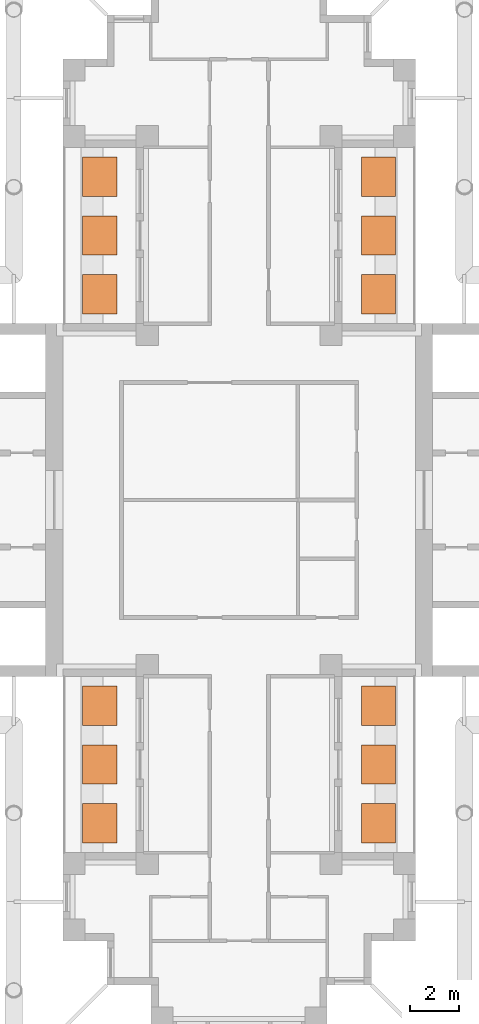
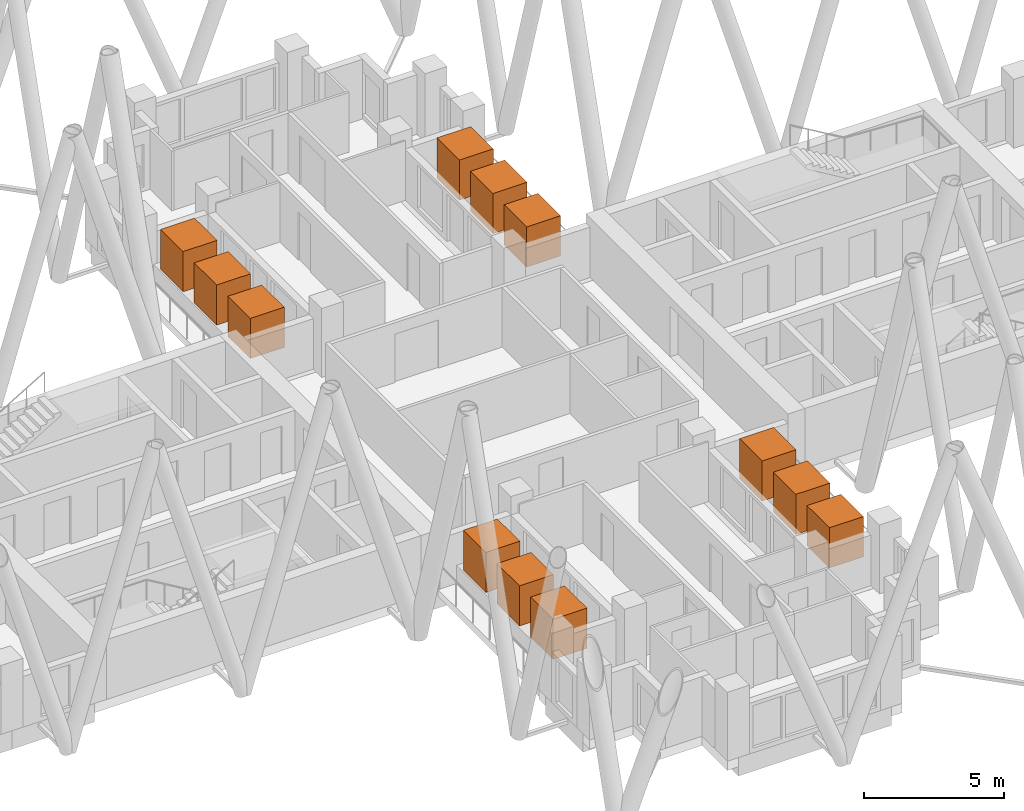
# One storey, part 12 of 12: 12 geographic elements.
"""IFC4 building model written with IfcOpenShell, lengths in metres."""

from ifc_helpers import new_model, si_unit, direction, frame, origin, origin_2d, place, context, subcontext, project, spatial, rectangle, extrude, material, element, save


model = new_model("IFC4")

# Units and contexts
model_context = context("Model", 3, precision=1e-05, world=origin(), true_north=direction((0.0, 1.0)))
body_context = subcontext(model_context, "Body", "Model", "MODEL_VIEW")
ifc_project = project(units=[si_unit("LENGTHUNIT", "METRE"), si_unit("AREAUNIT", "SQUARE_METRE"), si_unit("VOLUMEUNIT", "CUBIC_METRE"), si_unit("PLANEANGLEUNIT", "RADIAN"), si_unit("MASSUNIT", "GRAM", prefix="KILO")], contexts=[model_context])

# Site, building, storey
site_placement = place(None, origin())
site = spatial("IfcSite", under=ifc_project, at=site_placement, CompositionType="ELEMENT")
building_placement = place(site_placement, origin())
building = spatial("IfcBuilding", under=site, at=building_placement, Name="Fustian Cross Tower", CompositionType="ELEMENT")
storey_placement = place(building_placement, frame((0.0, 0.0, 129.300048828125)))
storey = spatial("IfcBuildingStorey", under=building, at=storey_placement, Name="L40", CompositionType="ELEMENT", Elevation=129.300048828125)

# Geographic elements
ifc_material = material(Name="Evergreen foliage")
for number, where, z_axis, x_axis, name in (
    (1, (5.68994140625, 8.39990234375, 0.800048828125), (0.0, 0.0, 1.0), (1.0, 0.0, 0.0), "TREE field maple"),
    (2, (5.68994140625, 10.800048828125, 0.800048828125), (0.0, 0.0, 1.0), (1.0, 0.0, 0.0), "TREE field maple"),
    (3, (5.68994140625, 13.199951171875, 0.800048828125), (0.0, 0.0, 1.0), (1.0, 0.0, 0.0), "TREE field maple"),
    (4, (-5.68994140625, 8.39990234375, 0.800048828125), (0.0, 0.0, 1.0), (1.0, 0.0, 0.0), "TREE field maple"),
    (5, (-5.68994140625, 10.800048828125, 0.800048828125), (0.0, 0.0, 1.0), (1.0, 0.0, 0.0), "TREE field maple"),
    (6, (-5.68994140625, 13.199951171875, 0.800048828125), (0.0, 0.0, 1.0), (1.0, 0.0, 0.0), "TREE field maple"),
    (7, (5.68994140625, -13.199951171875, 0.800048828125), (0.0, 0.0, 1.0), (1.0, 0.0, 0.0), "TREE field maple"),
    (8, (5.68994140625, -10.800048828125, 0.800048828125), (0.0, 0.0, 1.0), (1.0, 0.0, 0.0), "TREE field maple"),
    (9, (5.68994140625, -8.39990234375, 0.800048828125), (0.0, 0.0, 1.0), (1.0, 0.0, 0.0), "TREE field maple"),
    (10, (-5.68994140625, -13.199951171875, 0.800048828125), (0.0, 0.0, 1.0), (1.0, 0.0, 0.0), "TREE field maple"),
    (11, (-5.68994140625, -10.800048828125, 0.800048828125), (0.0, 0.0, 1.0), (1.0, 0.0, 0.0), "TREE field maple"),
    (12, (-5.68994140625, -8.39990234375, 0.800048828125), (0.0, 0.0, 1.0), (1.0, 0.0, 0.0), "TREE field maple"),
):
    element("IfcGeographicElement", number, at=place(storey_placement, frame(where, z_axis=z_axis, x_axis=x_axis)), inside=storey, material=ifc_material, Name=name, ObjectType="VEGETATION", PredefinedType="USERDEFINED", context=body_context, shape_type="SweptSolid", body=[
        extrude(rectangle(XDim=1.39990234375, YDim=1.60009765625, at=origin_2d()), origin(), (0.0, 0.0, 1.0), 1.75),
    ])

save(model, "model.ifc")
